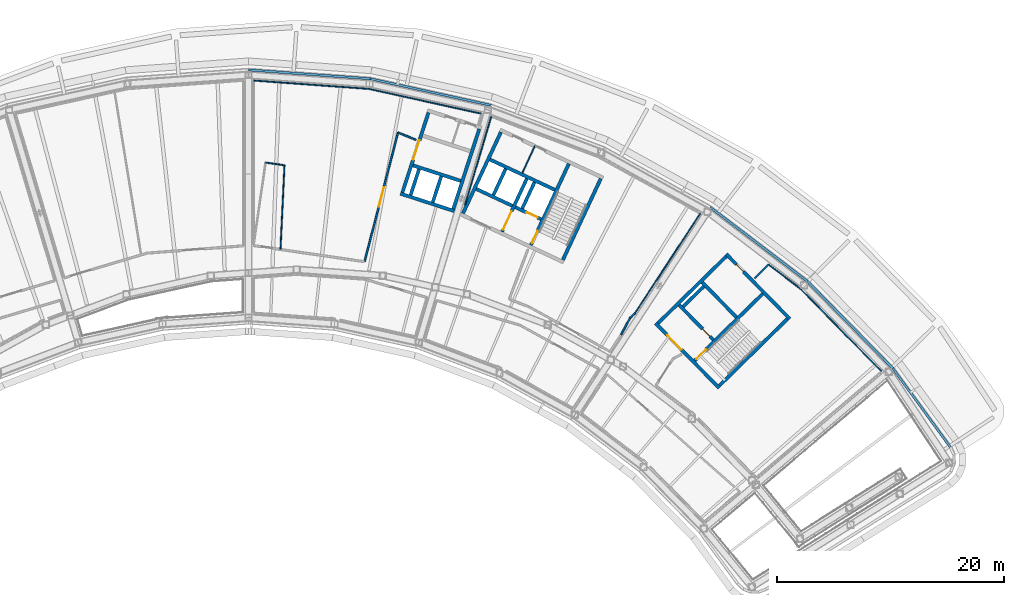
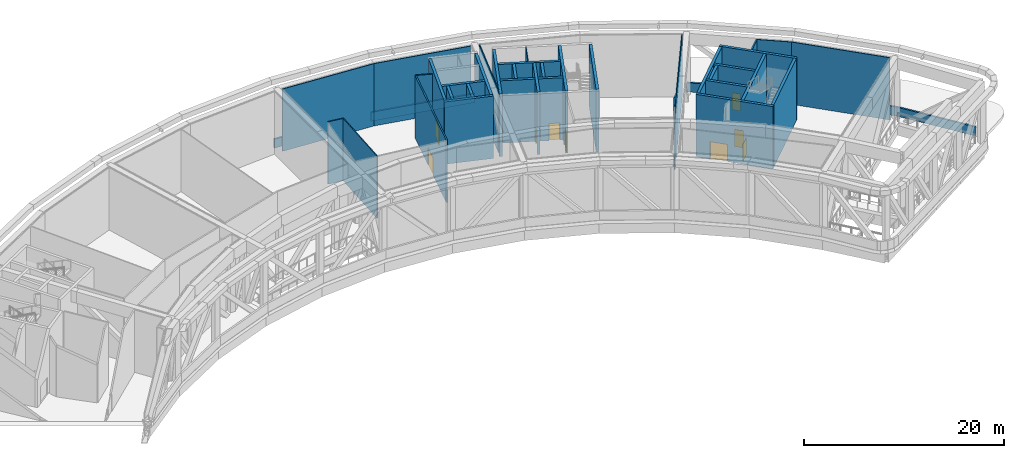
# One storey, part 10 of 24: 42 walls, 9 doors, 9 openings.
"""IFC4 building model written with IfcOpenShell, lengths in metres."""

from ifc_helpers import new_model, si_unit, direction, frame, frame_2d, origin, place, context, subcontext, project, spatial, rectangle, extrude, material, layer, layer_set, type_object, element, fill, save


model = new_model("IFC4")

# Units and contexts
model_context = context("Model", 3, precision=1e-05, world=origin(), true_north=direction((0.0, 1.0)))
body_context = subcontext(model_context, "Body", "Model", "MODEL_VIEW")
ifc_project = project(units=[si_unit("LENGTHUNIT", "METRE"), si_unit("AREAUNIT", "SQUARE_METRE"), si_unit("VOLUMEUNIT", "CUBIC_METRE"), si_unit("PLANEANGLEUNIT", "RADIAN"), si_unit("MASSUNIT", "GRAM", prefix="KILO")], contexts=[model_context])

# Site, building, storey
site_placement = place(None, origin())
site = spatial("IfcSite", under=ifc_project, at=site_placement, CompositionType="ELEMENT")
building_placement = place(site_placement, origin())
building = spatial("IfcBuilding", under=site, at=building_placement, Name="Tuul Gate Civic Tower", CompositionType="ELEMENT")
storey_placement = place(building_placement, frame((0.0, 0.0, 277.800048828125)))
storey = spatial("IfcBuildingStorey", under=building, at=storey_placement, Name="Wind floor 2", CompositionType="ELEMENT", Elevation=277.800048828125)

# Wall, opening, door
ifc_material_1 = material(Name="Concrete C50/60", Category="concrete")
ifc_layer_1 = layer(ifc_material_1, 0.300048828125)
ifc_layer_set_1 = layer_set([ifc_layer_1], Name="Concrete C50/60")
wall_type_1 = type_object("IfcWallType", Name="Core wall C50/60", PredefinedType="SHEAR", material=ifc_layer_set_1)
wall_1_placement = place(storey_placement, frame((48.22509765625, -18.327880859375, 0.0), z_axis=(0.0, 0.0, 1.0), x_axis=(-0.700021979774, 0.714121297703, 0.0)))
wall_1 = element("IfcWall", 1, at=wall_1_placement, inside=storey, type_object=wall_type_1, Name="Core wall", PredefinedType="SHEAR", context=body_context, shape_type="SweptSolid", body=[
    extrude(rectangle(XDim=8.0, YDim=0.300048828125, at=frame_2d((4.0, 0.0))), origin(), (0.0, 0.0, 1.0), 7.599853515625),
])
opening_1_placement = place(wall_1_placement, frame((4.72509765625, 0.0, 0.0)))
opening_1 = element("IfcOpeningElement", 2, at=opening_1_placement, cuts=wall_1, Name="Opening LB-E1-LOBBY-1", PredefinedType="OPENING", context=body_context, shape_type="SweptSolid", body=[
    extrude(rectangle(XDim=1.800048828125, YDim=2.10009765625, at=frame_2d((0.89990234375, 1.050048828125))), frame((0.0, 0.16015625, 0.0), z_axis=(0.0, -1.0, 0.0), x_axis=(1.0, 0.0, 0.0)), (0.0, 0.0, 1.0), 0.320068359375),
])
ifc_material_2 = material(Name="Steel", Category="steel")
door_type_1 = type_object("IfcDoorType", Name="Lobby door", OperationType="DOUBLE_DOOR_SINGLE_SWING", PredefinedType="DOOR", material=ifc_material_2)
door_1_placement = place(opening_1_placement, frame((1.800048828125, 0.0, 0.0), z_axis=(0.0, 0.0, 1.0), x_axis=(-1.0, 0.0, 0.0)))
door_1 = element("IfcDoor", 3, at=door_1_placement, inside=storey, type_object=door_type_1, Name="Lobby door E1-LOBBY", OperationType="DOUBLE_DOOR_SINGLE_SWING", OverallHeight=2.10009765625, OverallWidth=1.800048828125, PredefinedType="DOOR", context=body_context, shape_type="SweptSolid", body=[
    extrude(rectangle(XDim=1.800048828125, YDim=2.10009765625, at=frame_2d((0.900146484375, 1.050048828125))), frame((0.0, 0.02490234375, 0.0), z_axis=(0.0, -1.0, 0.0), x_axis=(1.0, 0.0, 0.0)), (0.0, 0.0, 1.0), 0.050048828125),
])
fill(opening_1, door_1)

wall_2_placement = place(storey_placement, frame((47.701904296875, -14.079833984375, 0.0), z_axis=(0.0, 0.0, 1.0), x_axis=(-0.700002721075, 0.714140175657, 0.0)))
wall_2 = element("IfcWall", 4, at=wall_2_placement, inside=storey, type_object=wall_type_1, Name="Core wall", PredefinedType="SHEAR", context=body_context, shape_type="SweptSolid", body=[
    extrude(rectangle(XDim=4.300048828125, YDim=0.300048828125, at=frame_2d((2.14990234375, 0.0))), origin(), (0.0, 0.0, 1.0), 7.599853515625),
])
opening_2_placement = place(wall_2_placement, frame((0.425048828125, 0.0, 0.0)))
opening_2 = element("IfcOpeningElement", 5, at=opening_2_placement, cuts=wall_2, Name="Opening FB-E1A1", PredefinedType="OPENING", context=body_context, shape_type="SweptSolid", body=[
    extrude(rectangle(XDim=0.89990234375, YDim=2.10009765625, at=frame_2d((0.449951171875, 1.050048828125))), frame((0.0, 0.16015625, 0.0), z_axis=(0.0, -1.0, 0.0), x_axis=(1.0, 0.0, 0.0)), (0.0, 0.0, 1.0), 0.320068359375),
])
ifc_material_3 = material(Name="Steel", Category="steel")
door_type_2 = type_object("IfcDoorType", Name="Store door", OperationType="NOTDEFINED", PredefinedType="DOOR", material=ifc_material_3)
door_2_placement = place(opening_2_placement, frame((0.89990234375, 0.0, 0.0), z_axis=(0.0, 0.0, 1.0), x_axis=(-1.0, 0.0, 0.0)))
door_2 = element("IfcDoor", 6, at=door_2_placement, inside=storey, type_object=door_type_2, Name="Store door E1A1", OperationType="SINGLE_SWING_RIGHT", OverallHeight=2.10009765625, OverallWidth=0.89990234375, PredefinedType="DOOR", context=body_context, shape_type="SweptSolid", body=[
    extrude(rectangle(XDim=0.89990234375, YDim=2.10009765625, at=frame_2d((0.449951171875, 1.050048828125))), frame((0.0, 0.02490234375, 0.0), z_axis=(0.0, -1.0, 0.0), x_axis=(1.0, 0.0, 0.0)), (0.0, 0.0, 1.0), 0.050048828125),
])
fill(opening_2, door_2)

# Wall
wall_3_placement = place(storey_placement, frame((49.737060546875, -12.0849609375, 0.0), z_axis=(0.0, 0.0, 1.0), x_axis=(-0.700002721075, 0.714140175657, 0.0)))
element("IfcWall", 7, at=wall_3_placement, inside=storey, type_object=wall_type_1, Name="Core wall", PredefinedType="SHEAR", context=body_context, shape_type="SweptSolid", body=[
    extrude(rectangle(XDim=4.300048828125, YDim=0.300048828125, at=frame_2d((2.14990234375, 0.0))), origin(), (0.0, 0.0, 1.0), 7.599853515625),
])

# Wall, opening, door
wall_4_placement = place(storey_placement, frame((54.43798828125, -12.23779296875, 0.0), z_axis=(0.0, 0.0, 1.0), x_axis=(-0.700021979774, 0.714121297703, 0.0)))
wall_4 = element("IfcWall", 8, at=wall_4_placement, inside=storey, type_object=wall_type_1, Name="Core wall", PredefinedType="SHEAR", context=body_context, shape_type="SweptSolid", body=[
    extrude(rectangle(XDim=8.0, YDim=0.300048828125, at=frame_2d((4.0, 0.0))), origin(), (0.0, 0.0, 1.0), 7.599853515625),
])
opening_3_placement = place(wall_4_placement, frame((5.824951171875, 0.0, 0.0)))
opening_3 = element("IfcOpeningElement", 9, at=opening_3_placement, cuts=wall_4, Name="Opening AG-D19", PredefinedType="OPENING", context=body_context, shape_type="SweptSolid", body=[
    extrude(rectangle(XDim=0.89990234375, YDim=2.10009765625, at=frame_2d((0.449951171875, 1.050048828125))), frame((0.0, 0.16015625, 0.0), z_axis=(0.0, -1.0, 0.0), x_axis=(1.0, 0.0, 0.0)), (0.0, 0.0, 1.0), 0.320068359375),
])
ifc_material_4 = material(Name="Timber door leaf", Category="wood")
door_type_3 = type_object("IfcDoorType", Name="Door D09", OperationType="NOTDEFINED", PredefinedType="DOOR", material=ifc_material_4)
door_3_placement = place(opening_3_placement, origin())
door_3 = element("IfcDoor", 10, at=door_3_placement, inside=storey, type_object=door_type_3, Name="Door AG-D19", OperationType="SINGLE_SWING_LEFT", OverallHeight=2.10009765625, OverallWidth=0.89990234375, PredefinedType="DOOR", context=body_context, shape_type="SweptSolid", body=[
    extrude(rectangle(XDim=0.89990234375, YDim=2.10009765625, at=frame_2d((0.449951171875, 1.050048828125))), frame((0.0, 0.02490234375, 0.0), z_axis=(0.0, -1.0, 0.0), x_axis=(1.0, 0.0, 0.0)), (0.0, 0.0, 1.0), 0.050048828125),
])
fill(opening_3, door_3)

# Wall
wall_5_placement = place(storey_placement, frame((48.227294921875, -18.115966796875, 0.0), z_axis=(0.0, 0.0, 1.0), x_axis=(0.714105315431, 0.700038283577, 0.0)))
element("IfcWall", 11, at=wall_5_placement, inside=storey, type_object=wall_type_1, Name="Core wall", PredefinedType="SHEAR", context=body_context, shape_type="SweptSolid", body=[
    extrude(rectangle(XDim=8.400146484375, YDim=0.300048828125, at=frame_2d((4.2001953125, 0.0))), origin(), (0.0, 0.0, 1.0), 7.599853515625),
])

# Wall, opening, door
wall_6_placement = place(storey_placement, frame((46.05712890625, -15.902099609375, 0.0), z_axis=(0.0, 0.0, 1.0), x_axis=(0.714134086973, 0.700008932674, 0.0)))
wall_6 = element("IfcWall", 12, at=wall_6_placement, inside=storey, type_object=wall_type_1, Name="Core wall", PredefinedType="SHEAR", context=body_context, shape_type="SweptSolid", body=[
    extrude(rectangle(XDim=8.400146484375, YDim=0.300048828125, at=frame_2d((4.2001953125, 0.0))), origin(), (0.0, 0.0, 1.0), 7.599853515625),
])
opening_4_placement = place(wall_6_placement, frame((0.199951171875, 0.0, 0.0)))
opening_4 = element("IfcOpeningElement", 13, at=opening_4_placement, cuts=wall_6, Name="Opening SD-ST-3", PredefinedType="OPENING", context=body_context, shape_type="SweptSolid", body=[
    extrude(rectangle(XDim=1.199951171875, YDim=2.10009765625, at=frame_2d((0.60009765625, 1.050048828125))), frame((0.0, 0.16015625, 0.0), z_axis=(0.0, -1.0, 0.0), x_axis=(1.0, 0.0, 0.0)), (0.0, 0.0, 1.0), 0.320068359375),
])
ifc_material_5 = material(Name="Steel", Category="steel")
door_type_4 = type_object("IfcDoorType", Name="Stair door", OperationType="NOTDEFINED", PredefinedType="DOOR", material=ifc_material_5)
door_4_placement = place(opening_4_placement, origin())
door_4 = element("IfcDoor", 14, at=door_4_placement, inside=storey, type_object=door_type_4, Name="Stair door ST-3", OperationType="SINGLE_SWING_LEFT", OverallHeight=2.10009765625, OverallWidth=1.199951171875, PredefinedType="DOOR", context=body_context, shape_type="SweptSolid", body=[
    extrude(rectangle(XDim=1.199951171875, YDim=2.10009765625, at=frame_2d((0.60009765625, 1.050048828125))), frame((0.0, 0.02490234375, 0.0), z_axis=(0.0, -1.0, 0.0), x_axis=(1.0, 0.0, 0.0)), (0.0, 0.0, 1.0), 0.050048828125),
])
fill(opening_4, door_4)

# Walls
wall_7_placement = place(storey_placement, frame((45.0439453125, -11.154052734375, 0.0), z_axis=(0.0, 0.0, 1.0), x_axis=(0.714108498262, 0.700035036773, 0.0)))
element("IfcWall", 15, at=wall_7_placement, inside=storey, type_object=wall_type_1, Name="Core wall", PredefinedType="SHEAR", context=body_context, shape_type="SweptSolid", body=[
    extrude(rectangle(XDim=2.550048828125, YDim=0.300048828125, at=frame_2d((1.27490234375, 0.0))), origin(), (0.0, 0.0, 1.0), 7.599853515625),
])
wall_8_placement = place(storey_placement, frame((42.837158203125, -12.616943359375, 0.0), z_axis=(0.0, 0.0, 1.0), x_axis=(0.714119844755, 0.700023461983, 0.0)))
element("IfcWall", 16, at=wall_8_placement, inside=storey, type_object=wall_type_1, Name="Core wall", PredefinedType="SHEAR", context=body_context, shape_type="SweptSolid", body=[
    extrude(rectangle(XDim=8.39990234375, YDim=0.300048828125, at=frame_2d((4.199951171875, 0.0))), origin(), (0.0, 0.0, 1.0), 7.599853515625),
])

# Wall, opening, door
wall_9_placement = place(storey_placement, frame((32.545654296875, -3.456787109375, 0.0), z_axis=(0.0, 0.0, 1.0), x_axis=(-0.906300357825, 0.42263419337, 0.0)))
wall_9 = element("IfcWall", 17, at=wall_9_placement, inside=storey, type_object=wall_type_1, Name="Core wall", PredefinedType="SHEAR", context=body_context, shape_type="SweptSolid", body=[
    extrude(rectangle(XDim=2.500244140625, YDim=0.300048828125, at=frame_2d((1.25, 0.0))), origin(), (0.0, 0.0, 1.0), 7.599853515625),
])
opening_5_placement = place(wall_9_placement, frame((0.324951171875, 0.0, 0.0)))
opening_5 = element("IfcOpeningElement", 18, at=opening_5_placement, cuts=wall_9, Name="Opening LD-FF-2", PredefinedType="OPENING", context=body_context, shape_type="SweptSolid", body=[
    extrude(rectangle(XDim=1.10009765625, YDim=2.10009765625, at=frame_2d((0.550048828125, 1.050048828125))), frame((0.0, 0.16015625, 0.0), z_axis=(0.0, -1.0, 0.0), x_axis=(1.0, 0.0, 0.0)), (0.0, 0.0, 1.0), 0.320068359375),
])
ifc_material_6 = material(Name="Stainless steel", Category="steel")
door_type_5 = type_object("IfcDoorType", Name="Landing door", OperationType="DOUBLE_DOOR_SLIDING", PredefinedType="DOOR", material=ifc_material_6)
door_5_placement = place(opening_5_placement, origin())
door_5 = element("IfcDoor", 19, at=door_5_placement, inside=storey, type_object=door_type_5, Name="Fire-fighting lift FF-2 landing door", OperationType="DOUBLE_DOOR_SLIDING", OverallHeight=2.10009765625, OverallWidth=1.10009765625, PredefinedType="DOOR", context=body_context, shape_type="SweptSolid", body=[
    extrude(rectangle(XDim=1.10009765625, YDim=2.10009765625, at=frame_2d((0.550048828125, 1.050048828125))), frame((0.0, 0.02490234375, 0.0), z_axis=(0.0, -1.0, 0.0), x_axis=(1.0, 0.0, 0.0)), (0.0, 0.0, 1.0), 0.050048828125),
])
fill(opening_5, door_5)

# Walls
wall_10_placement = place(storey_placement, frame((30.0078125, -2.2734375, 0.0), z_axis=(0.0, 0.0, 1.0), x_axis=(-0.90630071767, 0.422633421716, 0.0)))
element("IfcWall", 20, at=wall_10_placement, inside=storey, type_object=wall_type_1, Name="Core wall", PredefinedType="SHEAR", context=body_context, shape_type="SweptSolid", body=[
    extrude(rectangle(XDim=3.5, YDim=0.300048828125, at=frame_2d((1.75, 0.0))), origin(), (0.0, 0.0, 1.0), 7.599853515625),
])
wall_11_placement = place(storey_placement, frame((33.75, -0.873779296875, 0.0), z_axis=(0.0, 0.0, 1.0), x_axis=(-0.906300917592, 0.422632992999, 0.0)))
element("IfcWall", 21, at=wall_11_placement, inside=storey, type_object=wall_type_1, Name="Core wall", PredefinedType="SHEAR", context=body_context, shape_type="SweptSolid", body=[
    extrude(rectangle(XDim=6.300048828125, YDim=0.300048828125, at=frame_2d((3.14990234375, 0.0))), origin(), (0.0, 0.0, 1.0), 7.599853515625),
])
wall_12_placement = place(storey_placement, frame((34.455810546875, -7.05078125, 0.0), z_axis=(0.0, 0.0, 1.0), x_axis=(0.422570768258, 0.906329932096, 0.0)))
element("IfcWall", 22, at=wall_12_placement, inside=storey, type_object=wall_type_1, Name="Core wall", PredefinedType="SHEAR", context=body_context, shape_type="SweptSolid", body=[
    extrude(rectangle(XDim=7.900146484375, YDim=0.300048828125, at=frame_2d((3.9501953125, 0.0))), origin(), (0.0, 0.0, 1.0), 7.599853515625),
])

# Wall, opening, door
wall_13_placement = place(storey_placement, frame((31.646240234375, -5.740478515625, 0.0), z_axis=(0.0, 0.0, 1.0), x_axis=(0.422582604137, 0.906324413596, 0.0)))
wall_13 = element("IfcWall", 23, at=wall_13_placement, inside=storey, type_object=wall_type_1, Name="Core wall", PredefinedType="SHEAR", context=body_context, shape_type="SweptSolid", body=[
    extrude(rectangle(XDim=7.89990234375, YDim=0.300048828125, at=frame_2d((3.949951171875, 0.0))), origin(), (0.0, 0.0, 1.0), 7.599853515625),
])
opening_6_placement = place(wall_13_placement, frame((0.199951171875, 0.0, 0.0)))
opening_6 = element("IfcOpeningElement", 24, at=opening_6_placement, cuts=wall_13, Name="Opening SD-ST-4", PredefinedType="OPENING", context=body_context, shape_type="SweptSolid", body=[
    extrude(rectangle(XDim=1.199951171875, YDim=2.10009765625, at=frame_2d((0.60009765625, 1.050048828125))), frame((0.0, 0.16015625, 0.0), z_axis=(0.0, -1.0, 0.0), x_axis=(1.0, 0.0, 0.0)), (0.0, 0.0, 1.0), 0.320068359375),
])
door_6_placement = place(opening_6_placement, origin())
door_6 = element("IfcDoor", 25, at=door_6_placement, inside=storey, type_object=door_type_4, Name="Stair door ST-4", OperationType="SINGLE_SWING_LEFT", OverallHeight=2.10009765625, OverallWidth=1.199951171875, PredefinedType="DOOR", context=body_context, shape_type="SweptSolid", body=[
    extrude(rectangle(XDim=1.199951171875, YDim=2.10009765625, at=frame_2d((0.60009765625, 1.050048828125))), frame((0.0, 0.02490234375, 0.0), z_axis=(0.0, -1.0, 0.0), x_axis=(1.0, 0.0, 0.0)), (0.0, 0.0, 1.0), 0.050048828125),
])
fill(opening_6, door_6)

# Wall
wall_14_placement = place(storey_placement, frame((30.886962890625, -2.517822265625, 0.0), z_axis=(0.0, 0.0, 1.0), x_axis=(0.422612891016, 0.906310291427, 0.0)))
element("IfcWall", 26, at=wall_14_placement, inside=storey, type_object=wall_type_1, Name="Core wall", PredefinedType="SHEAR", context=body_context, shape_type="SweptSolid", body=[
    extrude(rectangle(XDim=2.550048828125, YDim=0.300048828125, at=frame_2d((1.27490234375, 0.0))), origin(), (0.0, 0.0, 1.0), 7.599853515625),
])

# Wall, opening, door
wall_15_placement = place(storey_placement, frame((29.108642578125, -4.557373046875, 0.0), z_axis=(0.0, 0.0, 1.0), x_axis=(0.422566235356, 0.90633204552, 0.0)))
wall_15 = element("IfcWall", 27, at=wall_15_placement, inside=storey, type_object=wall_type_1, Name="Core wall", PredefinedType="SHEAR", context=body_context, shape_type="SweptSolid", body=[
    extrude(rectangle(XDim=5.150146484375, YDim=0.300048828125, at=frame_2d((2.5751953125, 0.0))), origin(), (0.0, 0.0, 1.0), 7.599853515625),
])
opening_7_placement = place(wall_15_placement, frame((0.175048828125, 0.0, 0.0)))
opening_7 = element("IfcOpeningElement", 28, at=opening_7_placement, cuts=wall_15, Name="Opening LB-E3-FLOBBY-1", PredefinedType="OPENING", context=body_context, shape_type="SweptSolid", body=[
    extrude(rectangle(XDim=1.800048828125, YDim=2.10009765625, at=frame_2d((0.89990234375, 1.050048828125))), frame((0.0, 0.16015625, 0.0), z_axis=(0.0, -1.0, 0.0), x_axis=(1.0, 0.0, 0.0)), (0.0, 0.0, 1.0), 0.320068359375),
])
door_7_placement = place(opening_7_placement, frame((1.800048828125, 0.0, 0.0), z_axis=(0.0, 0.0, 1.0), x_axis=(-1.0, 0.0, 0.0)))
door_7 = element("IfcDoor", 29, at=door_7_placement, inside=storey, type_object=door_type_1, Name="Lobby door E3-FLOBBY", OperationType="DOUBLE_DOOR_SINGLE_SWING", OverallHeight=2.10009765625, OverallWidth=1.800048828125, PredefinedType="DOOR", context=body_context, shape_type="SweptSolid", body=[
    extrude(rectangle(XDim=1.800048828125, YDim=2.10009765625, at=frame_2d((0.900146484375, 1.050048828125))), frame((0.0, 0.02490234375, 0.0), z_axis=(0.0, -1.0, 0.0), x_axis=(1.0, 0.0, 0.0)), (0.0, 0.0, 1.0), 0.050048828125),
])
fill(opening_7, door_7)

# Walls
wall_16_placement = place(storey_placement, frame((28.349365234375, -1.33447265625, 0.0), z_axis=(0.0, 0.0, 1.0), x_axis=(0.422612891016, 0.906310291427, 0.0)))
element("IfcWall", 30, at=wall_16_placement, inside=storey, type_object=wall_type_1, Name="Core wall", PredefinedType="SHEAR", context=body_context, shape_type="SweptSolid", body=[
    extrude(rectangle(XDim=2.550048828125, YDim=0.300048828125, at=frame_2d((1.27490234375, 0.0))), origin(), (0.0, 0.0, 1.0), 7.599853515625),
])
wall_17_placement = place(storey_placement, frame((25.66455078125, -2.951416015625, 0.0), z_axis=(0.0, 0.0, 1.0), x_axis=(0.422582604137, 0.906324413596, 0.0)))
element("IfcWall", 31, at=wall_17_placement, inside=storey, type_object=wall_type_1, Name="Core wall", PredefinedType="SHEAR", context=body_context, shape_type="SweptSolid", body=[
    extrude(rectangle(XDim=7.89990234375, YDim=0.300048828125, at=frame_2d((3.949951171875, 0.0))), origin(), (0.0, 0.0, 1.0), 7.599853515625),
])
ifc_material_7 = material(Name="Gypsum board partition")
ifc_layer_2 = layer(ifc_material_7, 0.14990234375)
ifc_layer_set_2 = layer_set([ifc_layer_2], Name="Gypsum board partition")
wall_type_2 = type_object("IfcWallType", Name="Corridor wall P150", PredefinedType="PARTITIONING", material=ifc_layer_set_2)
wall_18_placement = place(storey_placement, frame((51.34423828125, -8.6533203125, 0.0), z_axis=(0.0, 0.0, 1.0), x_axis=(0.714254082957, 0.699886494354, 0.0)))
element("IfcWall", 32, at=wall_18_placement, inside=storey, type_object=wall_type_2, Name="p009", PredefinedType="PARTITIONING", context=body_context, shape_type="SweptSolid", body=[
    extrude(rectangle(XDim=1.71630859375, YDim=0.14990234375, at=frame_2d((0.858154296875, 0.0))), origin(), (0.0, 0.0, 1.0), 7.599853515625),
])
wall_19_placement = place(storey_placement, frame((40.37744140625, -12.15771484375, 0.0), z_axis=(0.0, 0.0, 1.0), x_axis=(0.714138256428, 0.70000467906, 0.0)))
element("IfcWall", 33, at=wall_19_placement, inside=storey, type_object=wall_type_2, Name="p012", PredefinedType="PARTITIONING", context=body_context, shape_type="SweptSolid", body=[
    extrude(rectangle(XDim=0.621826171875, YDim=0.14990234375, at=frame_2d((0.31103515625, 0.0))), origin(), (0.0, 0.0, 1.0), 7.599853515625),
])
wall_20_placement = place(storey_placement, frame((39.583984375, -13.61767578125, 0.0), z_axis=(0.0, 0.0, 1.0), x_axis=(0.47751332042, 0.878624509573, 0.0)))
element("IfcWall", 34, at=wall_20_placement, inside=storey, type_object=wall_type_2, Name="p013", PredefinedType="PARTITIONING", context=body_context, shape_type="SweptSolid", body=[
    extrude(rectangle(XDim=1.66162109375, YDim=0.14990234375, at=frame_2d((0.830810546875, 0.0))), origin(), (0.0, 0.0, 1.0), 7.599853515625),
])
wall_21_placement = place(storey_placement, frame((19.94482421875, 4.1669921875, 0.0), z_axis=(0.0, 0.0, 1.0), x_axis=(0.928515989406, -0.371292414975, 0.0)))
element("IfcWall", 35, at=wall_21_placement, inside=storey, type_object=wall_type_2, Name="p023", PredefinedType="PARTITIONING", context=body_context, shape_type="SweptSolid", body=[
    extrude(rectangle(XDim=1.713623046875, YDim=0.14990234375, at=frame_2d((0.85693359375, 0.0))), origin(), (0.0, 0.0, 1.0), 7.599853515625),
])

# Wall, opening, door
wall_22_placement = place(storey_placement, frame((17.0078125, -7.180419921875, 0.0), z_axis=(0.0, 0.0, 1.0), x_axis=(0.250569631697, 0.968098579521, 0.0)))
wall_22 = element("IfcWall", 36, at=wall_22_placement, inside=storey, type_object=wall_type_2, Name="p024", PredefinedType="PARTITIONING", context=body_context, shape_type="SweptSolid", body=[
    extrude(rectangle(XDim=11.721435546875, YDim=0.14990234375, at=frame_2d((5.86083984375, 0.0))), origin(), (0.0, 0.0, 1.0), 7.599853515625),
])
opening_8_placement = place(wall_22_placement, frame((4.960693359375, 0.0, 0.0)))
opening_8 = element("IfcOpeningElement", 37, at=opening_8_placement, cuts=wall_22, Name="Opening AG-D07", PredefinedType="OPENING", context=body_context, shape_type="SweptSolid", body=[
    extrude(rectangle(XDim=1.800048828125, YDim=2.10009765625, at=frame_2d((0.89990234375, 1.050048828125))), frame((0.0, 0.0849609375, 0.0), z_axis=(0.0, -1.0, 0.0), x_axis=(1.0, 0.0, 0.0)), (0.0, 0.0, 1.0), 0.169921875),
])
ifc_material_8 = material(Name="Timber door leaf, double", Category="wood")
door_type_6 = type_object("IfcDoorType", Name="Door D18", OperationType="DOUBLE_DOOR_SINGLE_SWING", PredefinedType="DOOR", material=ifc_material_8)
door_8_placement = place(opening_8_placement, origin())
door_8 = element("IfcDoor", 38, at=door_8_placement, inside=storey, type_object=door_type_6, Name="Door AG-D07", OperationType="DOUBLE_DOOR_SINGLE_SWING", OverallHeight=2.10009765625, OverallWidth=1.800048828125, PredefinedType="DOOR", context=body_context, shape_type="SweptSolid", body=[
    extrude(rectangle(XDim=1.800048828125, YDim=2.10009765625, at=frame_2d((0.89990234375, 1.050048828125))), frame((0.0, 0.02490234375, 0.0), z_axis=(0.0, -1.0, 0.0), x_axis=(1.0, 0.0, 0.0)), (0.0, 0.0, 1.0), 0.050048828125),
])
fill(opening_8, door_8)

# Walls
ifc_material_9 = material(Name="Concrete C40/50", Category="concrete")
ifc_layer_3 = layer(ifc_material_9, 0.199951171875)
ifc_layer_set_3 = layer_set([ifc_layer_3], Name="Concrete C40/50")
wall_type_3 = type_object("IfcWallType", Name="Crown parapet", PredefinedType="PARAPET", material=ifc_layer_set_3)
wall_23_placement = place(storey_placement, frame((68.56982421875, -23.52783203125, 0.0), z_axis=(0.0, 0.0, 1.0), x_axis=(-0.589799899172, 0.80754942817, 0.0)))
element("IfcWall", 39, at=wall_23_placement, inside=storey, type_object=wall_type_3, Name="Parapet", PredefinedType="PARAPET", context=body_context, shape_type="SweptSolid", body=[
    extrude(rectangle(XDim=8.58837890625, YDim=0.199951171875, at=frame_2d((4.294189453125, 0.0))), origin(), (0.0, 0.0, 1.0), 1.099853515625),
])
wall_24_placement = place(storey_placement, frame((63.50439453125, -16.59228515625, 0.0), z_axis=(0.0, 0.0, 1.0), x_axis=(-0.700015058606, 0.714128082156, 0.0)))
element("IfcWall", 40, at=wall_24_placement, inside=storey, type_object=wall_type_3, Name="Parapet", PredefinedType="PARAPET", context=body_context, shape_type="SweptSolid", body=[
    extrude(rectangle(XDim=10.74267578125, YDim=0.199951171875, at=frame_2d((5.371337890625, 0.0))), origin(), (0.0, 0.0, 1.0), 1.099853515625),
])
wall_25_placement = place(storey_placement, frame((55.984375, -8.920654296875, 0.0), z_axis=(0.0, 0.0, 1.0), x_axis=(-0.795640342623, 0.605769300304, 0.0)))
element("IfcWall", 41, at=wall_25_placement, inside=storey, type_object=wall_type_3, Name="Parapet", PredefinedType="PARAPET", context=body_context, shape_type="SweptSolid", body=[
    extrude(rectangle(XDim=10.7431640625, YDim=0.199951171875, at=frame_2d((5.37158203125, 0.0))), origin(), (0.0, 0.0, 1.0), 1.099853515625),
])
wall_26_placement = place(storey_placement, frame((28.15283203125, 6.5595703125, 0.0), z_axis=(0.0, 0.0, 1.0), x_axis=(-0.976575267476, 0.2151760836, 0.0)))
element("IfcWall", 42, at=wall_26_placement, inside=storey, type_object=wall_type_3, Name="Parapet", PredefinedType="PARAPET", context=body_context, shape_type="SweptSolid", body=[
    extrude(rectangle(XDim=10.90576171875, YDim=0.199951171875, at=frame_2d((5.452880859375, 0.0))), origin(), (0.0, 0.0, 1.0), 1.099853515625),
])
wall_27_placement = place(storey_placement, frame((17.50244140625, 8.90625, 0.0), z_axis=(0.0, 0.0, 1.0), x_axis=(-0.997385033407, 0.072270984055, 0.0)))
element("IfcWall", 43, at=wall_27_placement, inside=storey, type_object=wall_type_3, Name="Parapet", PredefinedType="PARAPET", context=body_context, shape_type="SweptSolid", body=[
    extrude(rectangle(XDim=10.742431640625, YDim=0.199951171875, at=frame_2d((5.37109375, 0.0))), origin(), (0.0, 0.0, 1.0), 1.099853515625),
])
ifc_material_10 = material(Name="Concrete C40/50", Category="concrete")
ifc_layer_4 = layer(ifc_material_10, 0.300048828125)
ifc_layer_set_4 = layer_set([ifc_layer_4], Name="Concrete C40/50")
wall_type_4 = type_object("IfcWallType", Name="Lift shaft wall C40/50", PredefinedType="STANDARD", material=ifc_layer_set_4)
wall_28_placement = place(storey_placement, frame((24.911376953125, -2.746337890625, 0.0), z_axis=(0.0, 0.0, 1.0), x_axis=(-0.951067792613, 0.308982287281, 0.0)))
element("IfcWall", 44, at=wall_28_placement, inside=storey, type_object=wall_type_4, Name="Shaft wall", PredefinedType="STANDARD", context=body_context, shape_type="SweptSolid", body=[
    extrude(rectangle(XDim=5.0, YDim=0.300048828125, at=frame_2d((2.5, 0.0))), origin(), (0.0, 0.0, 1.0), 7.599853515625),
])
wall_29_placement = place(storey_placement, frame((25.460693359375, -0.0859375, 0.0), z_axis=(0.0, 0.0, 1.0), x_axis=(-0.951063829732, 0.308994485023, 0.0)))
element("IfcWall", 45, at=wall_29_placement, inside=storey, type_object=wall_type_4, Name="Shaft wall", PredefinedType="STANDARD", context=body_context, shape_type="SweptSolid", body=[
    extrude(rectangle(XDim=4.400146484375, YDim=0.300048828125, at=frame_2d((2.2001953125, 0.0))), origin(), (0.0, 0.0, 1.0), 7.599853515625),
])
wall_30_placement = place(storey_placement, frame((24.815185546875, -2.557373046875, 0.0), z_axis=(0.0, 0.0, 1.0), x_axis=(0.30907264409, 0.951038432807, 0.0)))
element("IfcWall", 46, at=wall_30_placement, inside=storey, type_object=wall_type_4, Name="Shaft wall", PredefinedType="STANDARD", context=body_context, shape_type="SweptSolid", body=[
    extrude(rectangle(XDim=7.39990234375, YDim=0.300048828125, at=frame_2d((3.699951171875, 0.0))), origin(), (0.0, 0.0, 1.0), 7.599853515625),
])
for number, where, z_axis, x_axis, name in (
    (47, (23.008056640625, -1.97021484375, 0.0), (0.0, 0.0, 1.0), (0.309138975195, 0.951016873675, 0.0), "Shaft wall"),
    (48, (21.058349609375, -1.336669921875, 0.0), (0.0, 0.0, 1.0), (0.309138975195, 0.951016873675, 0.0), "Shaft wall"),
):
    element("IfcWall", number, at=place(storey_placement, frame(where, z_axis=z_axis, x_axis=x_axis)), inside=storey, type_object=wall_type_4, Name=name, PredefinedType="STANDARD", context=body_context, shape_type="SweptSolid", body=[
        extrude(rectangle(XDim=2.400146484375, YDim=0.300048828125, at=frame_2d((1.2001953125, 0.0))), origin(), (0.0, 0.0, 1.0), 7.599853515625),
    ])

# Wall, opening, door
wall_31_placement = place(storey_placement, frame((20.34521484375, -1.10498046875, 0.0), z_axis=(0.0, 0.0, 1.0), x_axis=(0.30907264409, 0.951038432807, 0.0)))
wall_31 = element("IfcWall", 49, at=wall_31_placement, inside=storey, type_object=wall_type_4, Name="Shaft wall", PredefinedType="STANDARD", context=body_context, shape_type="SweptSolid", body=[
    extrude(rectangle(XDim=7.39990234375, YDim=0.300048828125, at=frame_2d((3.699951171875, 0.0))), origin(), (0.0, 0.0, 1.0), 7.599853515625),
])
opening_9_placement = place(wall_31_placement, frame((3.02490234375, 0.0, 0.0)))
opening_9 = element("IfcOpeningElement", 50, at=opening_9_placement, cuts=wall_31, Name="Opening LB-E4-LOBBY-1", PredefinedType="OPENING", context=body_context, shape_type="SweptSolid", body=[
    extrude(rectangle(XDim=1.800048828125, YDim=2.10009765625, at=frame_2d((0.89990234375, 1.050048828125))), frame((0.0, 0.16015625, 0.0), z_axis=(0.0, -1.0, 0.0), x_axis=(1.0, 0.0, 0.0)), (0.0, 0.0, 1.0), 0.320068359375),
])
door_9_placement = place(opening_9_placement, frame((1.800048828125, 0.0, 0.0), z_axis=(0.0, 0.0, 1.0), x_axis=(-1.0, 0.0, 0.0)))
door_9 = element("IfcDoor", 51, at=door_9_placement, inside=storey, type_object=door_type_1, Name="Lobby door E4-LOBBY", OperationType="DOUBLE_DOOR_SINGLE_SWING", OverallHeight=2.10009765625, OverallWidth=1.800048828125, PredefinedType="DOOR", context=body_context, shape_type="SweptSolid", body=[
    extrude(rectangle(XDim=1.800048828125, YDim=2.10009765625, at=frame_2d((0.900146484375, 1.050048828125))), frame((0.0, 0.02490234375, 0.0), z_axis=(0.0, -1.0, 0.0), x_axis=(1.0, 0.0, 0.0)), (0.0, 0.0, 1.0), 0.050048828125),
])
fill(opening_9, door_9)

# Walls
ifc_material_11 = material(Name="Gypsum board partition")
ifc_layer_5 = layer(ifc_material_11, 0.10009765625)
ifc_layer_set_5 = layer_set([ifc_layer_5], Name="Gypsum board partition")
wall_type_5 = type_object("IfcWallType", Name="Partition P100", PredefinedType="PARTITIONING", material=ifc_layer_set_5)
wall_32_placement = place(storey_placement, frame((9.600341796875, -6.122802734375, 0.0), z_axis=(0.0, 0.0, 1.0), x_axis=(0.047982624382, 0.998848170523, 0.0)))
element("IfcWall", 52, at=wall_32_placement, inside=storey, type_object=wall_type_5, Name="p020", PredefinedType="PARTITIONING", context=body_context, shape_type="SweptSolid", body=[
    extrude(rectangle(XDim=7.41845703125, YDim=0.10009765625, at=frame_2d((3.709228515625, 0.0))), origin(), (0.0, 0.0, 1.0), 7.599853515625),
])
wall_33_placement = place(storey_placement, frame((8.288330078125, 1.529296875, 0.0), z_axis=(0.0, 0.0, 1.0), x_axis=(0.989622421782, -0.143692248596, 0.0)))
element("IfcWall", 53, at=wall_33_placement, inside=storey, type_object=wall_type_5, Name="p021", PredefinedType="PARTITIONING", context=body_context, shape_type="SweptSolid", body=[
    extrude(rectangle(XDim=1.685546875, YDim=0.10009765625, at=frame_2d((0.8427734375, 0.0))), origin(), (0.0, 0.0, 1.0), 7.599853515625),
])
wall_34_placement = place(storey_placement, frame((52.570068359375, -7.4521484375, 0.0), z_axis=(0.0, 0.0, 1.0), x_axis=(0.795610523628, -0.605808463702, 0.0)))
element("IfcWall", 54, at=wall_34_placement, inside=storey, type_object=wall_type_5, Name="p045", PredefinedType="PARTITIONING", context=body_context, shape_type="SweptSolid", body=[
    extrude(rectangle(XDim=3.541259765625, YDim=0.10009765625, at=frame_2d((1.7705078125, 0.0))), origin(), (0.0, 0.0, 1.0), 7.599853515625),
])
wall_35_placement = place(storey_placement, frame((55.387451171875, -9.597412109375, 0.0), z_axis=(0.0, 0.0, 1.0), x_axis=(0.700007265961, -0.714135720716, 0.0)))
element("IfcWall", 55, at=wall_35_placement, inside=storey, type_object=wall_type_5, Name="p046", PredefinedType="PARTITIONING", context=body_context, shape_type="SweptSolid", body=[
    extrude(rectangle(XDim=10.16064453125, YDim=0.10009765625, at=frame_2d((5.080322265625, 0.0))), origin(), (0.0, 0.0, 1.0), 7.599853515625),
])
wall_36_placement = place(storey_placement, frame((25.840576171875, -2.218994140625, 0.0), z_axis=(0.0, 0.0, 1.0), x_axis=(0.285191827686, 0.958470459337, 0.0)))
element("IfcWall", 56, at=wall_36_placement, inside=storey, type_object=wall_type_5, Name="p052", PredefinedType="PARTITIONING", context=body_context, shape_type="SweptSolid", body=[
    extrude(rectangle(XDim=8.12646484375, YDim=0.10009765625, at=frame_2d((4.063232421875, 0.0))), origin(), (0.0, 0.0, 1.0), 7.599853515625),
])
wall_37_placement = place(storey_placement, frame((46.5498046875, -2.9501953125, 0.0), z_axis=(0.0, 0.0, 1.0), x_axis=(-0.546753895214, -0.8372933644, 0.0)))
element("IfcWall", 57, at=wall_37_placement, inside=storey, type_object=wall_type_5, Name="p055", PredefinedType="PARTITIONING", context=body_context, shape_type="SweptSolid", body=[
    extrude(rectangle(XDim=10.476806640625, YDim=0.10009765625, at=frame_2d((5.23828125, 0.0))), origin(), (0.0, 0.0, 1.0), 7.599853515625),
])
wall_38_placement = place(storey_placement, frame((7.238037109375, 8.748291015625, 0.0), z_axis=(0.0, 0.0, 1.0), x_axis=(0.997381657537, -0.072317558095, 0.0)))
element("IfcWall", 58, at=wall_38_placement, inside=storey, type_object=wall_type_5, Name="p070", PredefinedType="PARTITIONING", context=body_context, shape_type="SweptSolid", body=[
    extrude(rectangle(XDim=10.16162109375, YDim=0.10009765625, at=frame_2d((5.080810546875, 0.0))), origin(), (0.0, 0.0, 1.0), 7.599853515625),
])
wall_39_placement = place(storey_placement, frame((17.373046875, 8.013427734375, 0.0), z_axis=(0.0, 0.0, 1.0), x_axis=(0.976566047517, -0.215217924061, 0.0)))
element("IfcWall", 59, at=wall_39_placement, inside=storey, type_object=wall_type_5, Name="p071", PredefinedType="PARTITIONING", context=body_context, shape_type="SweptSolid", body=[
    extrude(rectangle(XDim=10.16064453125, YDim=0.10009765625, at=frame_2d((5.080322265625, 0.0))), origin(), (0.0, 0.0, 1.0), 7.599853515625),
])
wall_40_placement = place(storey_placement, frame((30.890380859375, 0.625, 0.0), z_axis=(0.0, 0.0, 1.0), x_axis=(0.422597606916, 0.906317418253, 0.0)))
element("IfcWall", 60, at=wall_40_placement, inside=storey, type_object=wall_type_5, Name="bE3-BAND-0", PredefinedType="PARTITIONING", context=body_context, shape_type="SweptSolid", body=[
    extrude(rectangle(XDim=2.600341796875, YDim=0.10009765625, at=frame_2d((1.30029296875, 0.0))), origin(), (0.0, 0.0, 1.0), 7.599853515625),
])

save(model, "model.ifc")
